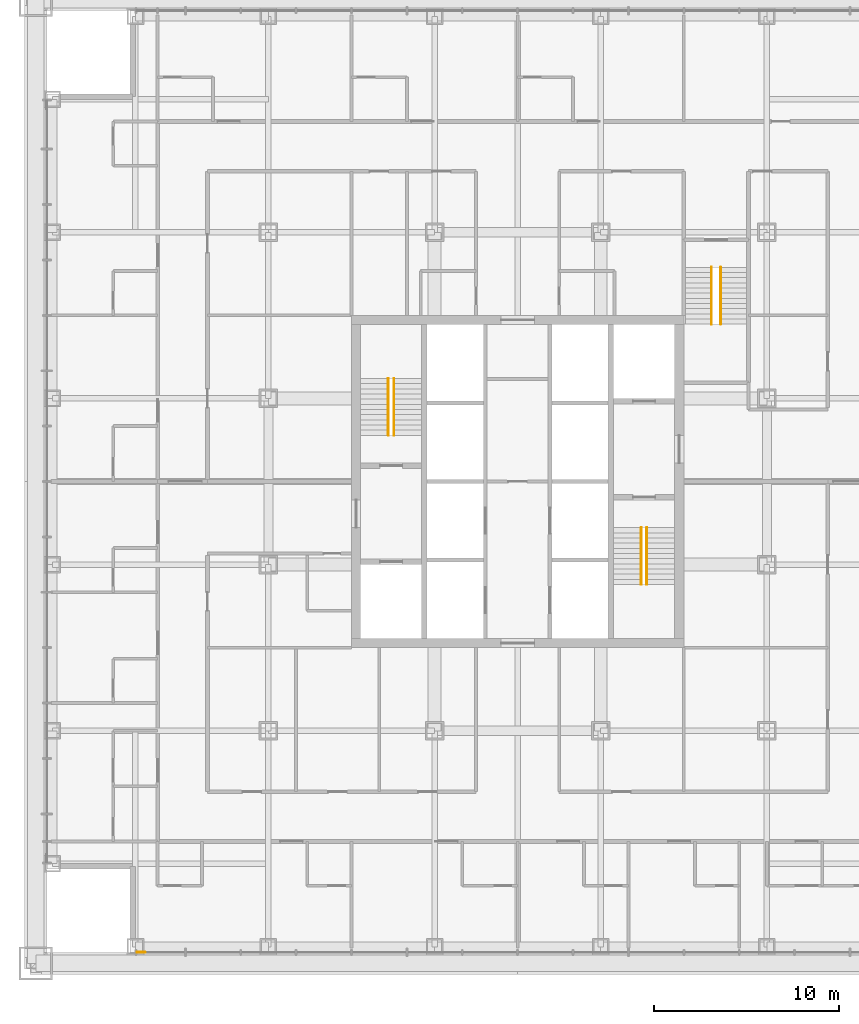
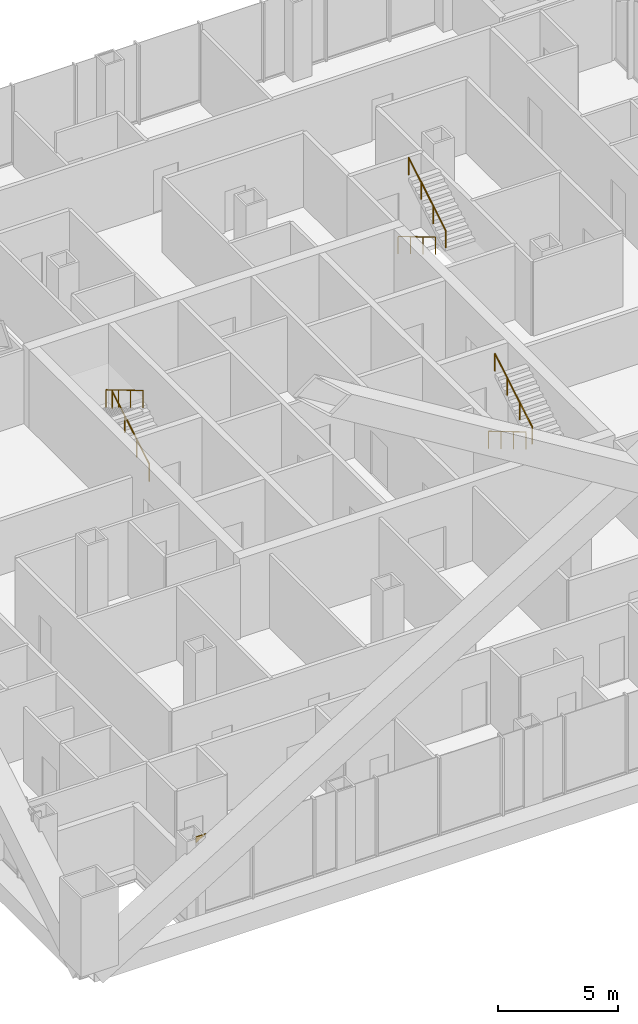
# One storey, part 17 of 21: 6 railings, 1 covering.
"""IFC4 building model written with IfcOpenShell, lengths in metres."""

from ifc_helpers import new_model, si_unit, direction, frame, origin, origin_2d, place, context, subcontext, project, spatial, polyline, circle, outline, extrude, material, layer, layer_set, type_object, element, save


model = new_model("IFC4")

# Units and contexts
model_context = context("Model", 3, precision=1e-05, world=origin(), true_north=direction((0.0, 1.0)))
body_context = subcontext(model_context, "Body", "Model", "MODEL_VIEW")
ifc_project = project(units=[si_unit("LENGTHUNIT", "METRE"), si_unit("AREAUNIT", "SQUARE_METRE"), si_unit("VOLUMEUNIT", "CUBIC_METRE"), si_unit("PLANEANGLEUNIT", "RADIAN"), si_unit("MASSUNIT", "GRAM", prefix="KILO")], contexts=[model_context])

# Site, building, storey
site_placement = place(None, origin())
site = spatial("IfcSite", under=ifc_project, at=site_placement, CompositionType="ELEMENT")
building_placement = place(site_placement, origin())
building = spatial("IfcBuilding", under=site, at=building_placement, Name="Malebo Sky Hospital", CompositionType="ELEMENT")
storey_placement = place(building_placement, frame((0.0, 0.0, 31.0)))
storey = spatial("IfcBuildingStorey", under=building, at=storey_placement, Name="L06", CompositionType="ELEMENT", Elevation=31.0)

# Covering
ifc_material_1 = material(Name="Anodised aluminium, natural silver insulated infill panel", Category="aluminium")
ifc_layer = layer(ifc_material_1, 0.0400390625)
ifc_layer_set = layer_set([ifc_layer], Name="BRACE INFILL PANEL 40")
covering_type = type_object("IfcCoveringType", Name="BRACE INFILL PANEL 40", PredefinedType="CLADDING", material=ifc_layer_set)
covering_placement = place(storey_placement, frame((39.61962890625, 36.5, 3.690185546875), z_axis=(0.0, 0.0, 1.0), x_axis=(-1.0, 0.0, 0.0)))
element("IfcCovering", 1, at=covering_placement, inside=storey, type_object=covering_type, Name="Brace infill panel 15.1", PredefinedType="CLADDING", context=body_context, shape_type="SweptSolid", body=[
    extrude(outline(polyline([(0.244384765625, 0.0), (0.244384765625, 0.2998046875), (-0.24462890625, 0.2998046875), (0.244384765625, 0.0)])), frame((0.0, 0.02001953125, 0.0), z_axis=(0.0, -1.0, 0.0), x_axis=(1.0, 0.0, 0.0)), (0.0, 0.0, 1.0), 0.0400390625),
])

# Railings
ifc_material_2 = material(Name="Stainless steel tube", Category="steel")
railing_type = type_object("IfcRailingType", Name="STAIR HANDRAIL 900", PredefinedType="HANDRAIL", material=ifc_material_2)
railing_1_placement = place(storey_placement, frame((53.300048828125, 64.5, 0.166748046875)))
element("IfcRailing", 2, at=railing_1_placement, inside=storey, type_object=railing_type, Name="Stair handrail S1 flight 1", PredefinedType="HANDRAIL", context=body_context, shape_type="SweptSolid", body=[
    extrude(circle(Radius=0.02392578125, at=origin_2d()), frame((0.0, 0.0, 0.8759765625), z_axis=(0.0, 0.859308565015, 0.511457515432), x_axis=(-1.0, 0.0, 0.0)), (0.0, 0.0, 1.0), 3.58447265625),
    extrude(circle(Radius=0.02099609375, at=origin_2d()), origin(), (0.0, 0.0, 1.0), 0.851806640625),
    extrude(circle(Radius=0.02099609375, at=origin_2d()), frame((0.0, 1.026611328125, 0.611083984375)), (0.0, 0.0, 1.0), 0.851806640625),
    extrude(circle(Radius=0.02099609375, at=origin_2d()), frame((0.0, 2.053466796875, 1.22216796875)), (0.0, 0.0, 1.0), 0.851806640625),
    extrude(circle(Radius=0.02099609375, at=origin_2d()), frame((0.0, 3.080078125, 1.833251953125)), (0.0, 0.0, 1.0), 0.851806640625),
])
for number, where, name in (
    (3, (53.0, 67.580078125, 2.166748046875), "Stair handrail S1 flight 2"),
    (4, (66.699951171875, 59.5, 0.166748046875), "Stair handrail S2 flight 1"),
):
    element("IfcRailing", number, at=place(storey_placement, frame(where)), inside=storey, type_object=railing_type, Name=name, PredefinedType="HANDRAIL", context=body_context, shape_type="SweptSolid", body=[
        extrude(circle(Radius=0.02392578125, at=origin_2d()), frame((0.0, 0.0, 0.8759765625), z_axis=(0.0, -0.859308565015, 0.511457515432), x_axis=(1.0, 0.0, 0.0)), (0.0, 0.0, 1.0), 3.58447265625),
        extrude(circle(Radius=0.02099609375, at=origin_2d()), origin(), (0.0, 0.0, 1.0), 0.851806640625),
        extrude(circle(Radius=0.02099609375, at=origin_2d()), frame((0.0, -1.026611328125, 0.611083984375)), (0.0, 0.0, 1.0), 0.851806640625),
        extrude(circle(Radius=0.02099609375, at=origin_2d()), frame((0.0, -2.053466796875, 1.22216796875)), (0.0, 0.0, 1.0), 0.851806640625),
        extrude(circle(Radius=0.02099609375, at=origin_2d()), frame((0.0, -3.080078125, 1.833251953125)), (0.0, 0.0, 1.0), 0.851806640625),
    ])
railing_2_placement = place(storey_placement, frame((67.0, 56.419921875, 2.166748046875)))
element("IfcRailing", 5, at=railing_2_placement, inside=storey, type_object=railing_type, Name="Stair handrail S2 flight 2", PredefinedType="HANDRAIL", context=body_context, shape_type="SweptSolid", body=[
    extrude(circle(Radius=0.02392578125, at=origin_2d()), frame((0.0, 0.0, 0.8759765625), z_axis=(0.0, 0.859308565015, 0.511457515432), x_axis=(-1.0, 0.0, 0.0)), (0.0, 0.0, 1.0), 3.58447265625),
    extrude(circle(Radius=0.02099609375, at=origin_2d()), origin(), (0.0, 0.0, 1.0), 0.851806640625),
    extrude(circle(Radius=0.02099609375, at=origin_2d()), frame((0.0, 1.026611328125, 0.611083984375)), (0.0, 0.0, 1.0), 0.851806640625),
    extrude(circle(Radius=0.02099609375, at=origin_2d()), frame((0.0, 2.053466796875, 1.22216796875)), (0.0, 0.0, 1.0), 0.851806640625),
    extrude(circle(Radius=0.02099609375, at=origin_2d()), frame((0.0, 3.080078125, 1.833251953125)), (0.0, 0.0, 1.0), 0.851806640625),
])
railing_3_placement = place(storey_placement, frame((70.5, 73.60009765625, 0.166748046875)))
element("IfcRailing", 6, at=railing_3_placement, inside=storey, type_object=railing_type, Name="Stair handrail S3 flight 1", PredefinedType="HANDRAIL", context=body_context, shape_type="SweptSolid", body=[
    extrude(circle(Radius=0.02392578125, at=origin_2d()), frame((0.0, 0.0, 0.8759765625), z_axis=(0.0, -0.859308565015, 0.511457515432), x_axis=(1.0, 0.0, 0.0)), (0.0, 0.0, 1.0), 3.58447265625),
    extrude(circle(Radius=0.02099609375, at=origin_2d()), origin(), (0.0, 0.0, 1.0), 0.851806640625),
    extrude(circle(Radius=0.02099609375, at=origin_2d()), frame((0.0, -1.026611328125, 0.611083984375)), (0.0, 0.0, 1.0), 0.851806640625),
    extrude(circle(Radius=0.02099609375, at=origin_2d()), frame((0.0, -2.053466796875, 1.22216796875)), (0.0, 0.0, 1.0), 0.851806640625),
    extrude(circle(Radius=0.02099609375, at=origin_2d()), frame((0.0, -3.080078125, 1.833251953125)), (0.0, 0.0, 1.0), 0.851806640625),
])
railing_4_placement = place(storey_placement, frame((71.0, 70.52001953125, 2.166748046875)))
element("IfcRailing", 7, at=railing_4_placement, inside=storey, type_object=railing_type, Name="Stair handrail S3 flight 2", PredefinedType="HANDRAIL", context=body_context, shape_type="SweptSolid", body=[
    extrude(circle(Radius=0.02392578125, at=origin_2d()), frame((0.0, 0.0, 0.8759765625), z_axis=(0.0, 0.859308565015, 0.511457515432), x_axis=(-1.0, 0.0, 0.0)), (0.0, 0.0, 1.0), 3.58447265625),
    extrude(circle(Radius=0.02099609375, at=origin_2d()), origin(), (0.0, 0.0, 1.0), 0.851806640625),
    extrude(circle(Radius=0.02099609375, at=origin_2d()), frame((0.0, 1.026611328125, 0.611083984375)), (0.0, 0.0, 1.0), 0.851806640625),
    extrude(circle(Radius=0.02099609375, at=origin_2d()), frame((0.0, 2.053466796875, 1.22216796875)), (0.0, 0.0, 1.0), 0.851806640625),
    extrude(circle(Radius=0.02099609375, at=origin_2d()), frame((0.0, 3.080078125, 1.833251953125)), (0.0, 0.0, 1.0), 0.851806640625),
])

save(model, "model.ifc")
